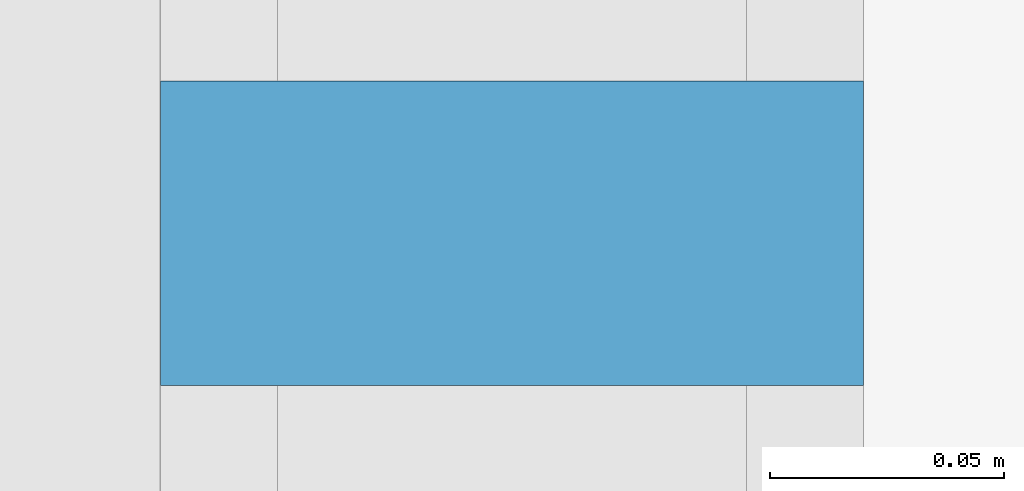
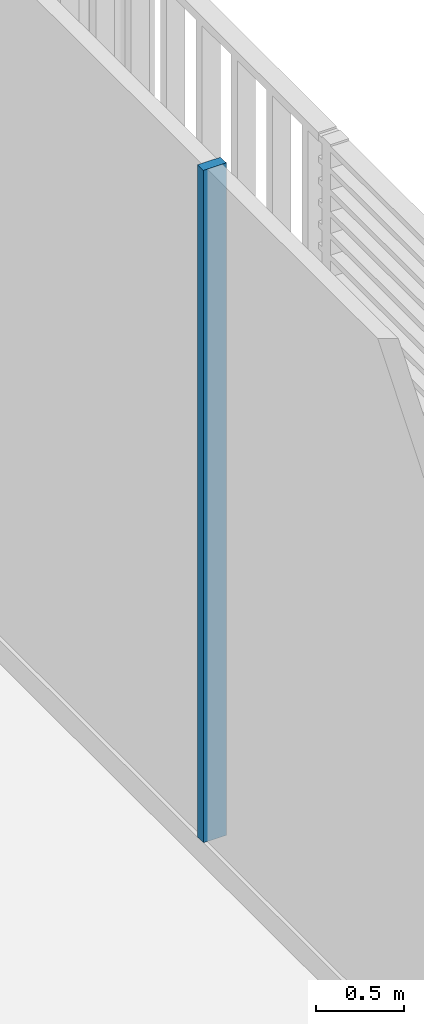
# One storey, part 11 of 22: 1 member, 1 element without a shape of its own.
"""IFC4 building model written with IfcOpenShell, lengths in metres."""

from ifc_helpers import new_model, si_unit, direction, frame, origin, origin_2d, place, context, subcontext, project, spatial, rectangle, extrude, material, layer, layer_set, material_profile, profile_set, type_object, element, aggregate, save


model = new_model("IFC4")

# Units and contexts
model_context = context("Model", 3, precision=1e-05, world=origin(), true_north=direction((0.0, 1.0)))
body_context = subcontext(model_context, "Body", "Model", "MODEL_VIEW")
ifc_project = project(units=[si_unit("LENGTHUNIT", "METRE"), si_unit("AREAUNIT", "SQUARE_METRE"), si_unit("VOLUMEUNIT", "CUBIC_METRE"), si_unit("PLANEANGLEUNIT", "RADIAN"), si_unit("MASSUNIT", "GRAM", prefix="KILO")], contexts=[model_context])

# Site, building, storey
site_placement = place(None, origin())
site = spatial("IfcSite", under=ifc_project, at=site_placement, CompositionType="ELEMENT")
building_placement = place(site_placement, origin())
building = spatial("IfcBuilding", under=site, at=building_placement, Name="Millrace Tower", CompositionType="ELEMENT")
storey_placement = place(building_placement, frame((0.0, 0.0, 59.300048828125)))
storey = spatial("IfcBuildingStorey", under=building, at=storey_placement, Name="L13", CompositionType="ELEMENT", Elevation=59.300048828125)

# Curtain wall, member
ifc_material_1 = material(Name="Aluminium and glass", Category="aluminium")
ifc_layer = layer(ifc_material_1, 0.14990234375)
ifc_layer_set = layer_set([ifc_layer], Name="Aluminium and glass")
curtain_wall_type = type_object("IfcCurtainWallType", Name="CW-2 data hall insulated curtain wall", PredefinedType="NOTDEFINED", material=ifc_layer_set)
curtain_wall_placement = place(storey_placement, origin())
curtain_wall = element("IfcCurtainWall", 1, at=curtain_wall_placement, inside=storey, type_object=curtain_wall_type, Name="Curtain wall A-F04 L13", PredefinedType="NOTDEFINED")
ifc_material_2 = material(Name="Aluminium", Category="aluminium")
ifc_material_profile = material_profile(ifc_material_2, rectangle(XDim=0.06494140625, YDim=0.14990234375, at=origin_2d()))
ifc_profile_set = profile_set([ifc_material_profile], Name="Aluminium")
member_type = type_object("IfcMemberType", Name="CW-2 data hall insulated curtain wall mullion", PredefinedType="MULLION", material=ifc_profile_set)
member_placement = place(storey_placement, frame((25.074951171875, 2.382568359375, 0.159912109375), z_axis=(0.0, 0.0, 1.0), x_axis=(0.0, 1.0, 0.0)))
member = element("IfcMember", 2, at=member_placement, type_object=member_type, Name="CW2 mullion A-F04.6", PredefinedType="MULLION", context=body_context, shape_type="SweptSolid", body=[
    extrude(rectangle(XDim=0.06494140625, YDim=0.14990234375, at=origin_2d()), origin(), (0.0, 0.0, 1.0), 4.64013671875),
])
aggregate(curtain_wall, [member])

save(model, "model.ifc")
